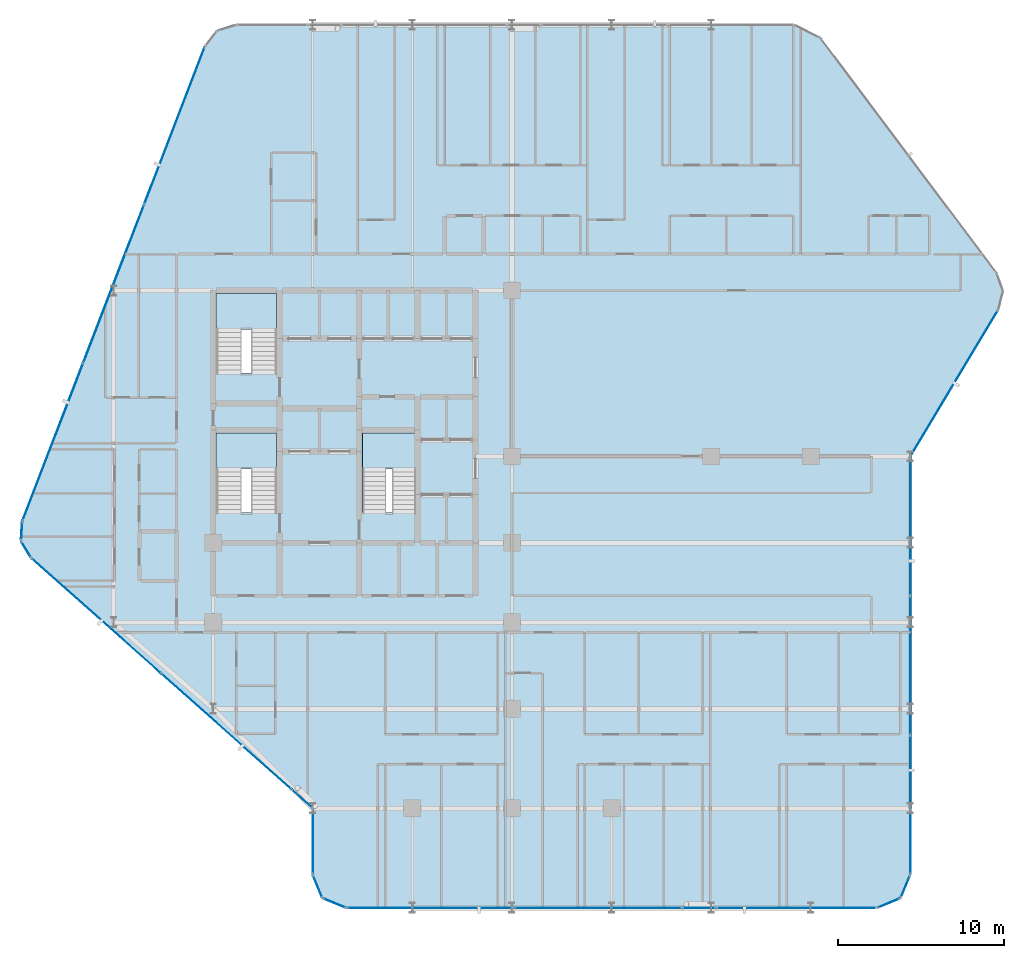
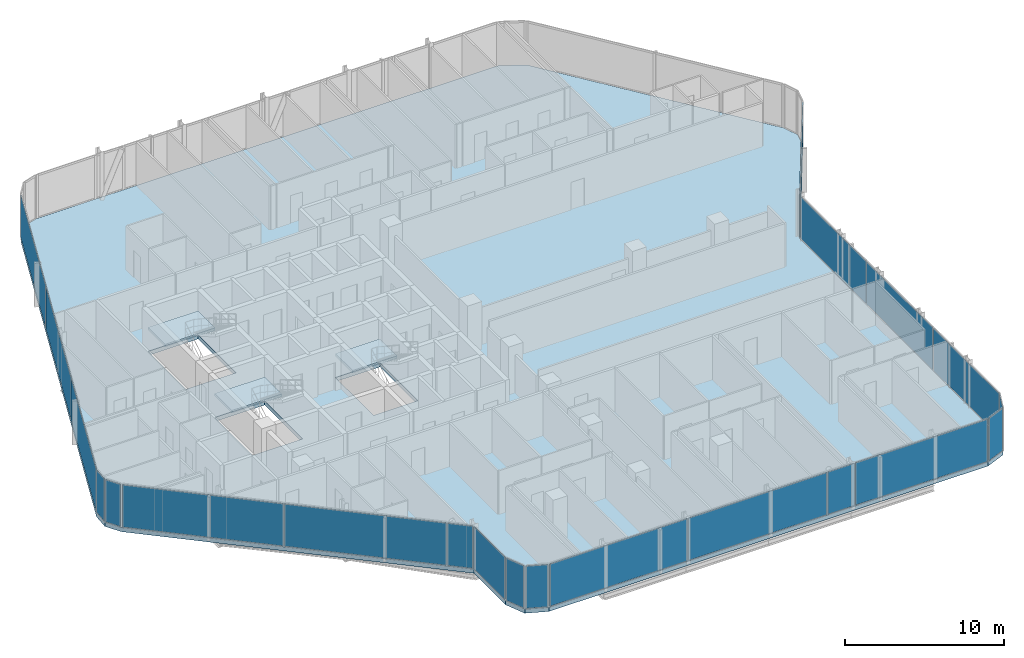
# One storey, part 21 of 29: 21 plates, 4 slabs, 18 elements without a shape of their own.
"""IFC4 building model written with IfcOpenShell, lengths in metres."""

from ifc_helpers import new_model, si_unit, direction, frame, origin, origin_2d, place, context, subcontext, project, spatial, polyline, rectangle, outline, extrude, material, layer, layer_set, type_object, element, aggregate, save


model = new_model("IFC4")

# Units and contexts
model_context = context("Model", 3, precision=1e-05, world=origin(), true_north=direction((0.0, 1.0)))
body_context = subcontext(model_context, "Body", "Model", "MODEL_VIEW")
ifc_project = project(units=[si_unit("LENGTHUNIT", "METRE"), si_unit("AREAUNIT", "SQUARE_METRE"), si_unit("VOLUMEUNIT", "CUBIC_METRE"), si_unit("PLANEANGLEUNIT", "RADIAN"), si_unit("MASSUNIT", "GRAM", prefix="KILO")], contexts=[model_context])

# Site, building, storey
site_placement = place(None, origin())
site = spatial("IfcSite", under=ifc_project, at=site_placement, CompositionType="ELEMENT")
building_placement = place(site_placement, origin())
building = spatial("IfcBuilding", under=site, at=building_placement, Name="Keshet Zoharim Tower", CompositionType="ELEMENT")
storey_placement = place(building_placement, frame((0.0, 0.0, 102.0)))
storey = spatial("IfcBuildingStorey", under=building, at=storey_placement, Name="L24", CompositionType="ELEMENT", Elevation=102.0)

# Curtain wall, plate
ifc_material_1 = material(Name="Aluminium 6063-T6", Category="aluminium")
ifc_layer_1 = layer(ifc_material_1, 0.159912109375)
ifc_layer_set_1 = layer_set([ifc_layer_1], Name="Aluminium 6063-T6")
curtain_wall_type = type_object("IfcCurtainWallType", Name="CW-SYS-03", PredefinedType="NOTDEFINED", material=ifc_layer_set_1)
curtain_wall_1_placement = place(storey_placement, origin())
curtain_wall_1 = element("IfcCurtainWall", 1, at=curtain_wall_1_placement, inside=storey, type_object=curtain_wall_type, Name="L24 Unitised Curtain Wall 01", PredefinedType="NOTDEFINED")
ifc_material_2 = material(Name="Insulated Low-E Clear Glass", Category="glass")
ifc_layer_2 = layer(ifc_material_2, 0.035888671875)
ifc_layer_set_2 = layer_set([ifc_layer_2], Name="Insulated Low-E Clear Glass")
plate_type_1 = type_object("IfcPlateType", Name="CWP-01", PredefinedType="CURTAIN_PANEL", material=ifc_layer_set_2)
plate_1_placement = place(storey_placement, frame((56.70703125, 1.992919921875, 0.06982421875), z_axis=(0.0, 0.0, 1.0), x_axis=(-0.382851849847, -0.92380975372, 0.0)))
plate_1 = element("IfcPlate", 2, at=plate_1_placement, type_object=plate_type_1, Name="CW-03 panel 1.1", PredefinedType="CURTAIN_PANEL", context=body_context, shape_type="SweptSolid", body=[
    extrude(rectangle(XDim=1.390625, YDim=0.035888671875, at=origin_2d()), origin(), (0.0, 0.0, 1.0), 3.2451171875),
])
aggregate(curtain_wall_1, [plate_1])

curtain_wall_2_placement = place(storey_placement, origin())
curtain_wall_2 = element("IfcCurtainWall", 3, at=curtain_wall_2_placement, inside=storey, type_object=curtain_wall_type, Name="L24 Unitised Curtain Wall 02", PredefinedType="NOTDEFINED")
plate_2_placement = place(storey_placement, frame((55.70703125, 0.992919921875, 0.06982421875), z_axis=(0.0, 0.0, 1.0), x_axis=(-0.92380975372, -0.382851849847, 0.0)))
plate_2 = element("IfcPlate", 4, at=plate_2_placement, type_object=plate_type_1, Name="CW-03 panel 1.1", PredefinedType="CURTAIN_PANEL", context=body_context, shape_type="SweptSolid", body=[
    extrude(rectangle(XDim=1.390625, YDim=0.035888671875, at=origin_2d()), origin(), (0.0, 0.0, 1.0), 3.2451171875),
])
aggregate(curtain_wall_2, [plate_2])

curtain_wall_3_placement = place(storey_placement, origin())
curtain_wall_3 = element("IfcCurtainWall", 5, at=curtain_wall_3_placement, inside=storey, type_object=curtain_wall_type, Name="L24 Unitised Curtain Wall 03", PredefinedType="NOTDEFINED")
plate_3_placement = place(storey_placement, frame((50.13134765625, 0.699951171875, 0.06982421875), z_axis=(0.0, 0.0, 1.0), x_axis=(-1.0, 0.0, 0.0)))
plate_3 = element("IfcPlate", 6, at=plate_3_placement, type_object=plate_type_1, Name="CW-03 panel 1.1", PredefinedType="CURTAIN_PANEL", context=body_context, shape_type="SweptSolid", body=[
    extrude(rectangle(XDim=9.597412109375, YDim=0.035888671875, at=origin_2d()), origin(), (0.0, 0.0, 1.0), 3.2451171875),
])
aggregate(curtain_wall_3, [plate_3])

# Curtain wall, plates
curtain_wall_4_placement = place(storey_placement, origin())
curtain_wall_4 = element("IfcCurtainWall", 7, at=curtain_wall_4_placement, inside=storey, type_object=curtain_wall_type, Name="L24 Unitised Curtain Wall 03 Part 3", PredefinedType="NOTDEFINED")
plate_4_placement = place(storey_placement, frame((38.195556640625, 0.699951171875, 0.06982421875), z_axis=(0.0, 0.0, 1.0), x_axis=(-1.0, 0.0, 0.0)))
plate_4 = element("IfcPlate", 8, at=plate_4_placement, type_object=plate_type_1, Name="CW-03 panel 1.1", PredefinedType="CURTAIN_PANEL", context=body_context, shape_type="SweptSolid", body=[
    extrude(rectangle(XDim=10.083740234375, YDim=0.035888671875, at=origin_2d()), origin(), (0.0, 0.0, 1.0), 3.2451171875),
])
plate_5_placement = place(storey_placement, frame((28.076904296875, 0.699951171875, 0.06982421875), z_axis=(0.0, 0.0, 1.0), x_axis=(-1.0, 0.0, 0.0)))
plate_5 = element("IfcPlate", 9, at=plate_5_placement, type_object=plate_type_1, Name="CW-03 panel 2.1", PredefinedType="CURTAIN_PANEL", context=body_context, shape_type="SweptSolid", body=[
    extrude(rectangle(XDim=10.013671875, YDim=0.035888671875, at=origin_2d()), origin(), (0.0, 0.0, 1.0), 3.2451171875),
])
aggregate(curtain_wall_4, [plate_4, plate_5])

# Curtain wall, plate
curtain_wall_5_placement = place(storey_placement, origin())
curtain_wall_5 = element("IfcCurtainWall", 10, at=curtain_wall_5_placement, inside=storey, type_object=curtain_wall_type, Name="L24 Unitised Curtain Wall 04", PredefinedType="NOTDEFINED")
plate_6_placement = place(storey_placement, frame((22.29296875, 0.992919921875, 0.06982421875), z_axis=(0.0, 0.0, 1.0), x_axis=(-0.92380975372, 0.382851849847, 0.0)))
plate_6 = element("IfcPlate", 11, at=plate_6_placement, type_object=plate_type_1, Name="CW-03 panel 1.1", PredefinedType="CURTAIN_PANEL", context=body_context, shape_type="SweptSolid", body=[
    extrude(rectangle(XDim=1.390625, YDim=0.035888671875, at=origin_2d()), origin(), (0.0, 0.0, 1.0), 3.2451171875),
])
aggregate(curtain_wall_5, [plate_6])

curtain_wall_6_placement = place(storey_placement, origin())
curtain_wall_6 = element("IfcCurtainWall", 12, at=curtain_wall_6_placement, inside=storey, type_object=curtain_wall_type, Name="L24 Unitised Curtain Wall 05", PredefinedType="NOTDEFINED")
plate_7_placement = place(storey_placement, frame((21.29296875, 1.992919921875, 0.06982421875), z_axis=(0.0, 0.0, 1.0), x_axis=(-0.382851849847, 0.92380975372, 0.0)))
plate_7 = element("IfcPlate", 13, at=plate_7_placement, type_object=plate_type_1, Name="CW-03 panel 1.1", PredefinedType="CURTAIN_PANEL", context=body_context, shape_type="SweptSolid", body=[
    extrude(rectangle(XDim=1.390625, YDim=0.035888671875, at=origin_2d()), origin(), (0.0, 0.0, 1.0), 3.2451171875),
])
aggregate(curtain_wall_6, [plate_7])

curtain_wall_7_placement = place(storey_placement, origin())
curtain_wall_7 = element("IfcCurtainWall", 14, at=curtain_wall_7_placement, inside=storey, type_object=curtain_wall_type, Name="L24 Unitised Curtain Wall 06", PredefinedType="NOTDEFINED")
plate_8_placement = place(storey_placement, frame((21.0, 4.699951171875, 0.06982421875), z_axis=(0.0, 0.0, 1.0), x_axis=(0.0, 1.0, 0.0)))
plate_8 = element("IfcPlate", 15, at=plate_8_placement, type_object=plate_type_1, Name="CW-03 panel 1.1", PredefinedType="CURTAIN_PANEL", context=body_context, shape_type="SweptSolid", body=[
    extrude(rectangle(XDim=3.860107421875, YDim=0.035888671875, at=origin_2d()), origin(), (0.0, 0.0, 1.0), 3.2451171875),
])
aggregate(curtain_wall_7, [plate_8])

# Curtain wall, plates
curtain_wall_8_placement = place(storey_placement, origin())
curtain_wall_8 = element("IfcCurtainWall", 16, at=curtain_wall_8_placement, inside=storey, type_object=curtain_wall_type, Name="L24 Unitised Curtain Wall 07 Part 2", PredefinedType="NOTDEFINED")
plate_9_placement = place(storey_placement, frame((15.78515625, 11.33544921875, 0.06982421875), z_axis=(0.0, 0.0, 1.0), x_axis=(-0.747409055186, 0.664364135264, 0.0)))
plate_9 = element("IfcPlate", 17, at=plate_9_placement, type_object=plate_type_1, Name="CW-03 panel 1.1", PredefinedType="CURTAIN_PANEL", context=body_context, shape_type="SweptSolid", body=[
    extrude(rectangle(XDim=10.43408203125, YDim=0.035888671875, at=origin_2d()), origin(), (0.0, 0.0, 1.0), 3.2451171875),
])
plate_10_placement = place(storey_placement, frame((7.96044921875, 18.290771484375, 0.06982421875), z_axis=(0.0, 0.0, 1.0), x_axis=(-0.747409055186, 0.664364135264, 0.0)))
plate_10 = element("IfcPlate", 18, at=plate_10_placement, type_object=plate_type_1, Name="CW-03 panel 2.1", PredefinedType="CURTAIN_PANEL", context=body_context, shape_type="SweptSolid", body=[
    extrude(rectangle(XDim=10.364013671875, YDim=0.035888671875, at=origin_2d()), origin(), (0.0, 0.0, 1.0), 3.2451171875),
])
aggregate(curtain_wall_8, [plate_9, plate_10])

# Curtain wall, plate
curtain_wall_9_placement = place(storey_placement, origin())
curtain_wall_9 = element("IfcCurtainWall", 19, at=curtain_wall_9_placement, inside=storey, type_object=curtain_wall_type, Name="L24 Unitised Curtain Wall 08", PredefinedType="NOTDEFINED")
plate_11_placement = place(storey_placement, frame((3.7275390625, 22.291015625, 0.06982421875), z_axis=(0.0, 0.0, 1.0), x_axis=(-0.515604947933, 0.856826433805, 0.0)))
plate_11 = element("IfcPlate", 20, at=plate_11_placement, type_object=plate_type_1, Name="CW-03 panel 1.1", PredefinedType="CURTAIN_PANEL", context=body_context, shape_type="SweptSolid", body=[
    extrude(rectangle(XDim=1.052734375, YDim=0.035888671875, at=origin_2d()), origin(), (0.0, 0.0, 1.0), 3.2451171875),
])
aggregate(curtain_wall_9, [plate_11])

curtain_wall_10_placement = place(storey_placement, origin())
curtain_wall_10 = element("IfcCurtainWall", 21, at=curtain_wall_10_placement, inside=storey, type_object=curtain_wall_type, Name="L24 Unitised Curtain Wall 09", PredefinedType="NOTDEFINED")
plate_12_placement = place(storey_placement, frame((3.45849609375, 23.3974609375, 0.06982421875), z_axis=(0.0, 0.0, 1.0), x_axis=(0.064516859374, 0.997916617186, 0.0)))
plate_12 = element("IfcPlate", 22, at=plate_12_placement, type_object=plate_type_1, Name="CW-03 panel 1.1", PredefinedType="CURTAIN_PANEL", context=body_context, shape_type="SweptSolid", body=[
    extrude(rectangle(XDim=1.053466796875, YDim=0.035888671875, at=origin_2d()), origin(), (0.0, 0.0, 1.0), 3.2451171875),
])
aggregate(curtain_wall_10, [plate_12])

# Curtain wall, plates
curtain_wall_11_placement = place(storey_placement, origin())
curtain_wall_11 = element("IfcCurtainWall", 23, at=curtain_wall_11_placement, inside=storey, type_object=curtain_wall_type, Name="L24 Unitised Curtain Wall 10", PredefinedType="NOTDEFINED")
plate_13_placement = place(storey_placement, frame((5.33837890625, 28.7802734375, 0.06982421875), z_axis=(0.0, 0.0, 1.0), x_axis=(0.358990003907, 0.933341404361, 0.0)))
plate_13 = element("IfcPlate", 24, at=plate_13_placement, type_object=plate_type_1, Name="CW-03 panel 1.1", PredefinedType="CURTAIN_PANEL", context=body_context, shape_type="SweptSolid", body=[
    extrude(rectangle(XDim=10.1181640625, YDim=0.035888671875, at=origin_2d()), origin(), (0.0, 0.0, 1.0), 3.2451171875),
])
plate_14_placement = place(storey_placement, frame((9.001953125, 38.305419921875, 0.06982421875), z_axis=(0.0, 0.0, 1.0), x_axis=(0.358990003907, 0.933341404361, 0.0)))
plate_14 = element("IfcPlate", 25, at=plate_14_placement, type_object=plate_type_1, Name="CW-03 panel 2.1", PredefinedType="CURTAIN_PANEL", context=body_context, shape_type="SweptSolid", body=[
    extrude(rectangle(XDim=10.153076171875, YDim=0.035888671875, at=origin_2d()), origin(), (0.0, 0.0, 1.0), 3.2451171875),
])
plate_15_placement = place(storey_placement, frame((12.665771484375, 47.830810546875, 0.06982421875), z_axis=(0.0, 0.0, 1.0), x_axis=(0.358990003907, 0.933341404361, 0.0)))
plate_15 = element("IfcPlate", 26, at=plate_15_placement, type_object=plate_type_1, Name="CW-03 panel 3.1", PredefinedType="CURTAIN_PANEL", context=body_context, shape_type="SweptSolid", body=[
    extrude(rectangle(XDim=10.1181640625, YDim=0.035888671875, at=origin_2d()), origin(), (0.0, 0.0, 1.0), 3.2451171875),
])
aggregate(curtain_wall_11, [plate_13, plate_14, plate_15])

# Curtain wall, plate
curtain_wall_12_placement = place(storey_placement, origin())
curtain_wall_12 = element("IfcCurtainWall", 27, at=curtain_wall_12_placement, inside=storey, type_object=curtain_wall_type, Name="L24 Unitised Curtain Wall 18", PredefinedType="NOTDEFINED")
plate_16_placement = place(storey_placement, frame((59.654052734375, 32.323486328125, 0.06982421875), z_axis=(0.0, 0.0, 1.0), x_axis=(-0.514481501576, -0.857501477862, 0.0)))
plate_16 = element("IfcPlate", 28, at=plate_16_placement, type_object=plate_type_1, Name="CW-03 panel 1.1", PredefinedType="CURTAIN_PANEL", context=body_context, shape_type="SweptSolid", body=[
    extrude(rectangle(XDim=10.17724609375, YDim=0.035888671875, at=origin_2d()), origin(), (0.0, 0.0, 1.0), 3.2451171875),
])
aggregate(curtain_wall_12, [plate_16])

# Curtain wall, plates
curtain_wall_13_placement = place(storey_placement, origin())
curtain_wall_13 = element("IfcCurtainWall", 29, at=curtain_wall_13_placement, inside=storey, type_object=curtain_wall_type, Name="L24 Unitised Curtain Wall 19", PredefinedType="NOTDEFINED")
ifc_layer_3 = layer(ifc_material_2, 0.031982421875)
ifc_layer_set_3 = layer_set([ifc_layer_3], Name="Insulated Low-E Clear Glass")
plate_type_2 = type_object("IfcPlateType", Name="CWP-02", PredefinedType="CURTAIN_PANEL", material=ifc_layer_set_3)
plate_17_placement = place(storey_placement, frame((57.0, 23.6826171875, 0.06982421875), z_axis=(0.0, 0.0, 1.0), x_axis=(0.0, -1.0, 0.0)))
plate_17 = element("IfcPlate", 30, at=plate_17_placement, type_object=plate_type_2, Name="CW-03 panel 1.1", PredefinedType="CURTAIN_PANEL", context=body_context, shape_type="SweptSolid", body=[
    extrude(rectangle(XDim=8.294921875, YDim=0.031982421875, at=origin_2d()), origin(), (0.0, 0.0, 1.0), 3.2451171875),
])
plate_18_placement = place(storey_placement, frame((57.0, 15.300048828125, 0.06982421875), z_axis=(0.0, 0.0, 1.0), x_axis=(0.0, -1.0, 0.0)))
plate_18 = element("IfcPlate", 31, at=plate_18_placement, type_object=plate_type_2, Name="CW-03 panel 2.1", PredefinedType="CURTAIN_PANEL", context=body_context, shape_type="SweptSolid", body=[
    extrude(rectangle(XDim=8.330078125, YDim=0.031982421875, at=origin_2d()), origin(), (0.0, 0.0, 1.0), 3.2451171875),
])
plate_19_placement = place(storey_placement, frame((57.0, 6.91748046875, 0.06982421875), z_axis=(0.0, 0.0, 1.0), x_axis=(0.0, -1.0, 0.0)))
plate_19 = element("IfcPlate", 32, at=plate_19_placement, type_object=plate_type_2, Name="CW-03 panel 3.1", PredefinedType="CURTAIN_PANEL", context=body_context, shape_type="SweptSolid", body=[
    extrude(rectangle(XDim=8.294921875, YDim=0.031982421875, at=origin_2d()), origin(), (0.0, 0.0, 1.0), 3.2451171875),
])
aggregate(curtain_wall_13, [plate_17, plate_18, plate_19])

# Curtain wall, plate
curtain_wall_14_placement = place(storey_placement, origin())
curtain_wall_14 = element("IfcCurtainWall", 33, at=curtain_wall_14_placement, inside=storey, type_object=curtain_wall_type, Name="L24 Unitised Curtain Wall 03 Part 2", PredefinedType="NOTDEFINED")
ifc_material_3 = material(Name="Insulated Aluminium Spandrel Panel", Category="aluminium")
ifc_layer_4 = layer(ifc_material_3, 0.035888671875)
ifc_layer_set_4 = layer_set([ifc_layer_4], Name="Insulated Aluminium Spandrel Panel")
plate_type_3 = type_object("IfcPlateType", Name="CWP-04", PredefinedType="CURTAIN_PANEL", material=ifc_layer_set_4)
plate_20_placement = place(storey_placement, frame((44.284912109375, 0.699951171875, 0.06982421875), z_axis=(0.0, 0.0, 1.0), x_axis=(-1.0, 0.0, 0.0)))
plate_20 = element("IfcPlate", 34, at=plate_20_placement, type_object=plate_type_3, Name="CW-03 spandrel panel 1.1", PredefinedType="CURTAIN_PANEL", context=body_context, shape_type="SweptSolid", body=[
    extrude(rectangle(XDim=1.955078125, YDim=0.035888671875, at=origin_2d()), origin(), (0.0, 0.0, 1.0), 3.2451171875),
])
aggregate(curtain_wall_14, [plate_20])

curtain_wall_15_placement = place(storey_placement, origin())
curtain_wall_15 = element("IfcCurtainWall", 35, at=curtain_wall_15_placement, inside=storey, type_object=curtain_wall_type, Name="L24 Unitised Curtain Wall 07", PredefinedType="NOTDEFINED")
plate_21_placement = place(storey_placement, frame((20.342041015625, 7.28466796875, 0.06982421875), z_axis=(0.0, 0.0, 1.0), x_axis=(-0.747412452867, 0.664360312857, 0.0)))
plate_21 = element("IfcPlate", 36, at=plate_21_placement, type_object=plate_type_3, Name="CW-03 spandrel panel 1.1", PredefinedType="CURTAIN_PANEL", context=body_context, shape_type="SweptSolid", body=[
    extrude(rectangle(XDim=1.620361328125, YDim=0.035888671875, at=origin_2d()), origin(), (0.0, 0.0, 1.0), 3.2451171875),
])
aggregate(curtain_wall_15, [plate_21])

# Stair, slab
ifc_material_4 = material(Name="Concrete C50/60", Category="concrete")
stair_type = type_object("IfcStairType", Name="STR-EXIT-135", PredefinedType="HALF_TURN_STAIR", material=ifc_material_4)
stair_1_placement = place(storey_placement, origin())
stair_1 = element("IfcStair", 37, at=stair_1_placement, inside=storey, type_object=stair_type, Name="L24 Enclosed Exit Stair ST-01", PredefinedType="HALF_TURN_STAIR")
ifc_layer_5 = layer(ifc_material_4, 0.199951171875)
ifc_layer_set_5 = layer_set([ifc_layer_5], Name="Concrete C50/60")
slab_type_1 = type_object("IfcSlabType", Name="SLB-LND-200", PredefinedType="LANDING", material=ifc_layer_set_5)
slab_1_placement = place(storey_placement, frame((0.0, 0.0, 1.64990234375)))
slab_1 = element("IfcSlab", 38, at=slab_1_placement, type_object=slab_type_1, Name="ST-01 landing 1", PredefinedType="LANDING", context=body_context, shape_type="SweptSolid", body=[
    extrude(outline(polyline([(15.179931640625, 27.159912109375), (18.820068359375, 27.159912109375), (18.820068359375, 29.320068359375), (15.179931640625, 29.320068359375), (15.179931640625, 27.159912109375)])), origin(), (0.0, 0.0, 1.0), 0.2001953125),
])
aggregate(stair_1, [slab_1])

stair_2_placement = place(storey_placement, origin())
stair_2 = element("IfcStair", 39, at=stair_2_placement, inside=storey, type_object=stair_type, Name="L24 Enclosed Exit Stair ST-02", PredefinedType="HALF_TURN_STAIR")
slab_2_placement = place(storey_placement, frame((0.0, 0.0, 1.64990234375)))
slab_2 = element("IfcSlab", 40, at=slab_2_placement, type_object=slab_type_1, Name="ST-02 landing 1", PredefinedType="LANDING", context=body_context, shape_type="SweptSolid", body=[
    extrude(outline(polyline([(15.179931640625, 35.56005859375), (18.820068359375, 35.56005859375), (18.820068359375, 37.719970703125), (15.179931640625, 37.719970703125), (15.179931640625, 35.56005859375)])), origin(), (0.0, 0.0, 1.0), 0.2001953125),
])
aggregate(stair_2, [slab_2])

stair_3_placement = place(storey_placement, origin())
stair_3 = element("IfcStair", 41, at=stair_3_placement, inside=storey, type_object=stair_type, Name="L24 Enclosed Exit Stair ST-03", PredefinedType="HALF_TURN_STAIR")
slab_3_placement = place(storey_placement, frame((0.0, 0.0, 1.64990234375)))
slab_3 = element("IfcSlab", 42, at=slab_3_placement, type_object=slab_type_1, Name="ST-03 landing 1", PredefinedType="LANDING", context=body_context, shape_type="SweptSolid", body=[
    extrude(outline(polyline([(23.97998046875, 27.159912109375), (27.219970703125, 27.159912109375), (27.219970703125, 29.320068359375), (23.97998046875, 29.320068359375), (23.97998046875, 27.159912109375)])), origin(), (0.0, 0.0, 1.0), 0.2001953125),
])
aggregate(stair_3, [slab_3])

# Slab
ifc_layer_6 = layer(ifc_material_4, 0.31494140625)
ifc_layer_set_6 = layer_set([ifc_layer_6], Name="Concrete C50/60")
slab_type_2 = type_object("IfcSlabType", Name="SLB-LOW-260", PredefinedType="FLOOR", material=ifc_layer_set_6)
slab_4_placement = place(storey_placement, frame((0.0, 0.0, -0.31494140625)))
element("IfcSlab", 43, at=slab_4_placement, inside=storey, type_object=slab_type_2, Name="L24 Structural Floor Slab 1", PredefinedType="FLOOR", context=body_context, shape_type="SweptSolid", body=[
    extrude(outline(polyline([(57.0, 2.699951171875), (56.4140625, 1.285888671875), (55.0, 0.699951171875), (23.0, 0.699951171875), (21.5859375, 1.285888671875), (21.0, 2.699951171875), (21.0, 6.699951171875), (4.034912109375, 21.780029296875), (3.419921875, 22.802001953125), (3.4970703125, 23.992919921875), (14.507080078125, 52.617919921875), (15.240966796875, 53.549072265625), (16.3740234375, 53.89990234375), (50.0, 53.89990234375), (51.60009765625, 53.10009765625), (62.193115234375, 38.97607421875), (62.590087890625, 37.87890625), (62.30810546875, 36.7470703125), (57.0, 27.89990234375), (57.0, 2.699951171875)]), holes=[polyline([(15.179931640625, 24.52001953125), (18.820068359375, 24.52001953125), (18.820068359375, 29.320068359375), (15.179931640625, 29.320068359375), (15.179931640625, 24.52001953125)]), polyline([(15.179931640625, 32.919921875), (18.820068359375, 32.919921875), (18.820068359375, 37.719970703125), (15.179931640625, 37.719970703125), (15.179931640625, 32.919921875)]), polyline([(23.97998046875, 24.52001953125), (27.219970703125, 24.52001953125), (27.219970703125, 29.320068359375), (23.97998046875, 29.320068359375), (23.97998046875, 24.52001953125)])]), origin(), (0.0, 0.0, 1.0), 0.31494140625),
])

save(model, "model.ifc")
